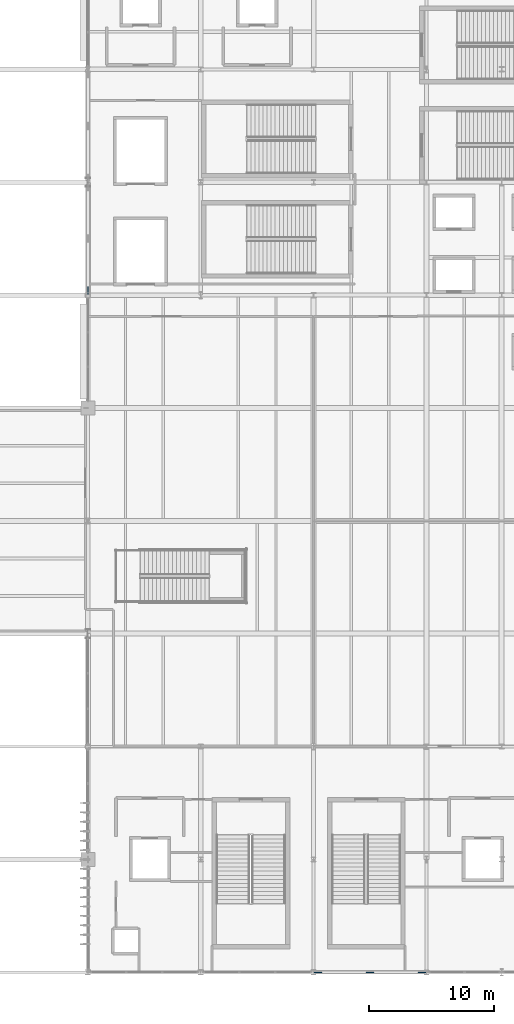
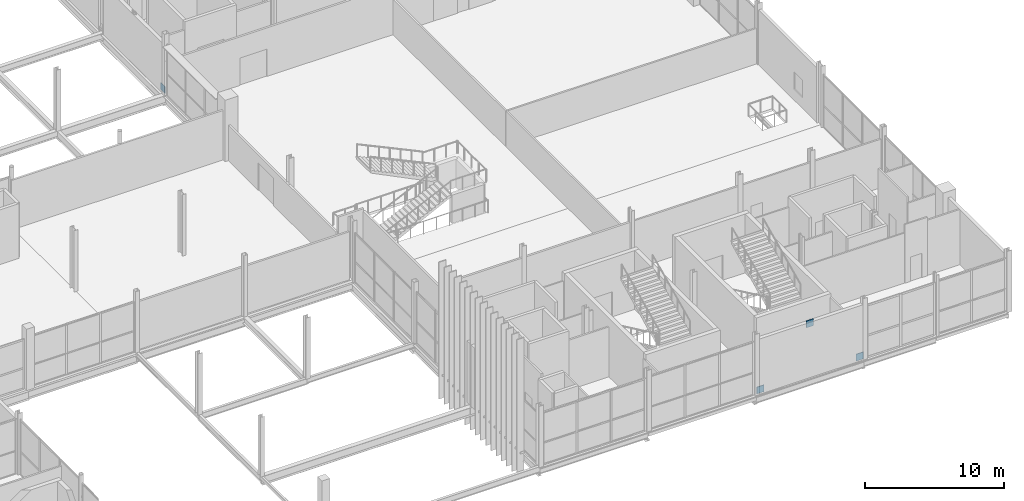
# One storey, part 84 of 119: 4 plates.
"""IFC4 building model written with IfcOpenShell, lengths in metres."""

from ifc_helpers import new_model, si_unit, direction, frame, origin, origin_2d, place, context, subcontext, project, spatial, rectangle, extrude, material, layer, layer_set, type_object, element, save


model = new_model("IFC4")

# Units and contexts
model_context = context("Model", 3, precision=1e-05, world=origin(), true_north=direction((0.0, 1.0)))
body_context = subcontext(model_context, "Body", "Model", "MODEL_VIEW")
ifc_project = project(units=[si_unit("LENGTHUNIT", "METRE"), si_unit("AREAUNIT", "SQUARE_METRE"), si_unit("VOLUMEUNIT", "CUBIC_METRE"), si_unit("PLANEANGLEUNIT", "RADIAN"), si_unit("MASSUNIT", "GRAM", prefix="KILO")], contexts=[model_context])

# Site, building, storey
site_placement = place(None, origin())
site = spatial("IfcSite", under=ifc_project, at=site_placement, CompositionType="ELEMENT")
building_placement = place(site_placement, origin())
building = spatial("IfcBuilding", under=site, at=building_placement, Name="Qamarlyn Nura Convention Centre", CompositionType="ELEMENT")
storey_placement = place(building_placement, frame((0.0, 0.0, 5.39990234375)))
storey = spatial("IfcBuildingStorey", under=building, at=storey_placement, Name="L01", CompositionType="ELEMENT", Elevation=5.39990234375)

# Plates
ifc_material = material(Name="Structural steel ASTM A572 Grade 50", Category="steel")
ifc_layer = layer(ifc_material, 0.044921875, Name="GP-TN1")
ifc_layer_set = layer_set([ifc_layer], Name="Structural steel ASTM A572 Grade 50")
plate_type = type_object("IfcPlateType", Name="GP-TN1", PredefinedType="USERDEFINED", material=ifc_layer_set)
for number, where, z_axis, x_axis, name in (
    (1, (171.360107421875, 0.0, 0.0), (0.0, 0.0, 1.0), (1.0, 0.0, 0.0), "SCBF chevron brace gusset plate CBF-E1-L01-A"),
    (2, (179.639892578125, 0.0, 0.0), (0.0, 0.0, 1.0), (1.0, 0.0, 0.0), "SCBF chevron brace gusset plate CBF-E1-L01-B"),
    (3, (175.5, 0.0, 4.380126953125), (0.0, 0.0, 1.0), (1.0, 0.0, 0.0), "SCBF chevron brace gusset plate CBF-E1-L01-M"),
    (4, (153.0, 54.360107421875, 0.0), (0.0, 0.0, 1.0), (0.0, 1.0, 0.0), "SCBF chevron brace gusset plate CBF-E3-L01-A"),
):
    element("IfcPlate", number, at=place(storey_placement, frame(where, z_axis=z_axis, x_axis=x_axis)), inside=storey, type_object=plate_type, Name=name, ObjectType="GUSSET PLATE", PredefinedType="USERDEFINED", context=body_context, shape_type="SweptSolid", body=[
        extrude(rectangle(XDim=0.60009765625, YDim=0.044921875, at=origin_2d()), origin(), (0.0, 0.0, 1.0), 0.60009765625),
    ])

save(model, "model.ifc")
